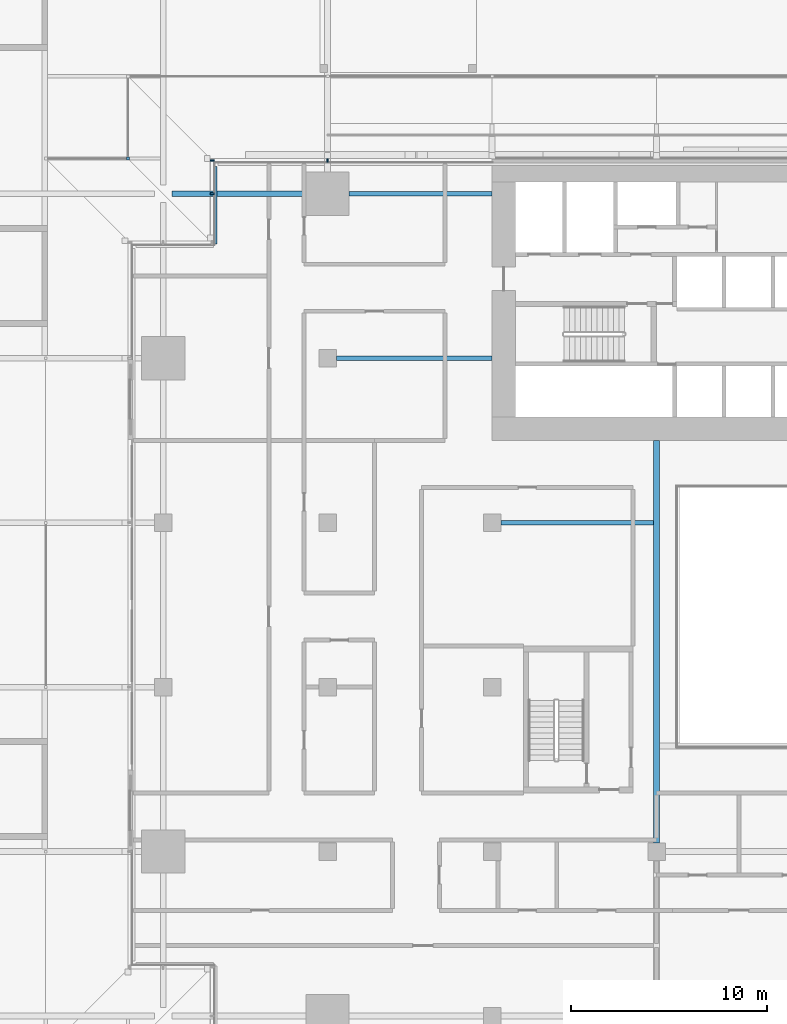
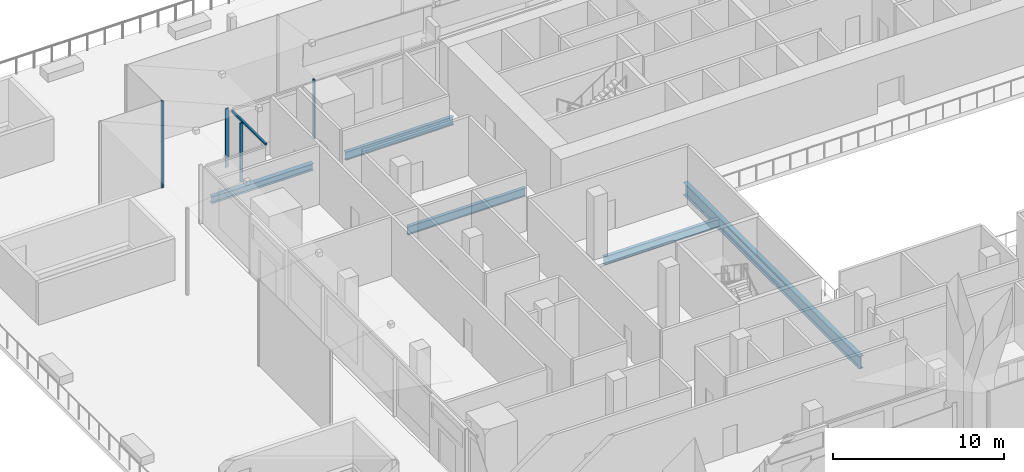
# One storey, part 8 of 60: 5 beams, 5 members, 2 elements without a shape of their own.
"""IFC4 building model written with IfcOpenShell, lengths in metres."""

from ifc_helpers import new_model, si_unit, direction, frame, origin, origin_2d, place, context, subcontext, project, spatial, rectangle, i_section, extrude, material, material_profile, profile_set, type_object, element, aggregate, save


model = new_model("IFC4")

# Units and contexts
model_context = context("Model", 3, precision=1e-05, world=origin(), true_north=direction((0.0, 1.0)))
body_context = subcontext(model_context, "Body", "Model", "MODEL_VIEW")
ifc_project = project(units=[si_unit("LENGTHUNIT", "METRE"), si_unit("AREAUNIT", "SQUARE_METRE"), si_unit("VOLUMEUNIT", "CUBIC_METRE"), si_unit("PLANEANGLEUNIT", "RADIAN"), si_unit("MASSUNIT", "GRAM", prefix="KILO")], contexts=[model_context])

# Site, building, storey
site_placement = place(None, origin())
site = spatial("IfcSite", under=ifc_project, at=site_placement, CompositionType="ELEMENT")
building_placement = place(site_placement, origin())
building = spatial("IfcBuilding", under=site, at=building_placement, Name="Saffron Gate Tower", CompositionType="ELEMENT")
storey_placement = place(building_placement, frame((0.0, 0.0, 19.199951171875)))
storey = spatial("IfcBuildingStorey", under=building, at=storey_placement, Name="L03", CompositionType="ELEMENT", Elevation=19.199951171875)

# Beams
ifc_material_1 = material(Name="Structural steel S355", Category="steel")
ifc_material_profile_1 = material_profile(ifc_material_1, i_section(OverallWidth=0.219970703125, OverallDepth=0.60009765625, WebThickness=0.011962890625, FlangeThickness=0.01904296875, FilletRadius=0.02392578125, at=origin_2d()))
ifc_profile_set_1 = profile_set([ifc_material_profile_1], Name="Structural steel S355")
beam_type_1 = type_object("IfcBeamType", Name="B15 IPE 600", PredefinedType="BEAM", material=ifc_profile_set_1)
beam_1_placement = place(storey_placement, frame((67.050048828125, 57.0, -0.599853515625), z_axis=(1.0, 0.0, 0.0), x_axis=(0.0, 1.0, 0.0)))
element("IfcBeam", 1, at=beam_1_placement, inside=storey, type_object=beam_type_1, Name="B15 CORE TIE BEAM", PredefinedType="BEAM", context=body_context, shape_type="SweptSolid", body=[
    extrude(i_section(OverallWidth=0.219970703125, OverallDepth=0.60009765625, WebThickness=0.011962890625, FlangeThickness=0.01904296875, FilletRadius=0.02392578125, at=origin_2d()), origin(), (0.0, 0.0, 1.0), 7.800048828125),
])
beam_2_placement = place(storey_placement, frame((58.64990234375, 65.39990234375, -0.599853515625), z_axis=(1.0, 0.0, 0.0), x_axis=(0.0, 1.0, 0.0)))
element("IfcBeam", 2, at=beam_2_placement, inside=storey, type_object=beam_type_1, Name="B15 CORE TIE BEAM", PredefinedType="BEAM", context=body_context, shape_type="SweptSolid", body=[
    extrude(i_section(OverallWidth=0.219970703125, OverallDepth=0.60009765625, WebThickness=0.011962890625, FlangeThickness=0.01904296875, FilletRadius=0.02392578125, at=origin_2d()), origin(), (0.0, 0.0, 1.0), 7.9501953125),
])
beam_3_placement = place(storey_placement, frame((59.300048828125, 73.800048828125, -0.599853515625), z_axis=(1.0, 0.0, 0.0), x_axis=(0.0, 1.0, 0.0)))
element("IfcBeam", 3, at=beam_3_placement, inside=storey, type_object=beam_type_1, Name="B15 CORE TIE BEAM", PredefinedType="BEAM", context=body_context, shape_type="SweptSolid", body=[
    extrude(i_section(OverallWidth=0.219970703125, OverallDepth=0.60009765625, WebThickness=0.011962890625, FlangeThickness=0.01904296875, FilletRadius=0.02392578125, at=origin_2d()), origin(), (0.0, 0.0, 1.0), 7.300048828125),
])
ifc_material_profile_2 = material_profile(ifc_material_1, i_section(OverallWidth=0.300048828125, OverallDepth=0.89990234375, WebThickness=0.0185546875, FlangeThickness=0.034912109375, FilletRadius=0.030029296875, at=origin_2d()))
ifc_profile_set_2 = profile_set([ifc_material_profile_2], Name="Structural steel S355")
beam_type_2 = type_object("IfcBeamType", Name="B20 HEB 900", PredefinedType="BEAM", material=ifc_profile_set_2)
beam_4_placement = place(storey_placement, frame((75.0, 40.64990234375, -0.75), z_axis=(0.0, 1.0, 0.0), x_axis=(-1.0, 0.0, 0.0)))
element("IfcBeam", 4, at=beam_4_placement, inside=storey, type_object=beam_type_2, Name="B20 ATRIUM GIRDER", PredefinedType="BEAM", context=body_context, shape_type="SweptSolid", body=[
    extrude(i_section(OverallWidth=0.300048828125, OverallDepth=0.89990234375, WebThickness=0.0185546875, FlangeThickness=0.034912109375, FilletRadius=0.030029296875, at=origin_2d()), origin(), (0.0, 0.0, 1.0), 20.550048828125),
])
ifc_material_profile_3 = material_profile(ifc_material_1, i_section(OverallWidth=0.300048828125, OverallDepth=0.489990234375, WebThickness=0.011962890625, FlangeThickness=0.02294921875, FilletRadius=0.027099609375, at=origin_2d()))
ifc_profile_set_3 = profile_set([ifc_material_profile_3], Name="Structural steel S355")
beam_type_3 = type_object("IfcBeamType", Name="B8 HEA 500", PredefinedType="BEAM", material=ifc_profile_set_3)
beam_5_placement = place(storey_placement, frame((50.25, 73.800048828125, -0.544921875), z_axis=(1.0, 0.0, 0.0), x_axis=(0.0, 1.0, 0.0)))
element("IfcBeam", 5, at=beam_5_placement, inside=storey, type_object=beam_type_3, Name="B8 TERRACE BEAM", PredefinedType="BEAM", context=body_context, shape_type="SweptSolid", body=[
    extrude(i_section(OverallWidth=0.300048828125, OverallDepth=0.489990234375, WebThickness=0.011962890625, FlangeThickness=0.02294921875, FilletRadius=0.027099609375, at=origin_2d()), origin(), (0.0, 0.0, 1.0), 6.85009765625),
])

# Curtain wall, member
ifc_material_2 = material(Name="Aluminium, bronze anodised", Category="aluminium")
curtain_wall_type = type_object("IfcCurtainWallType", Name="CWS6 curtain wall tall storeys", PredefinedType="NOTDEFINED", material=ifc_material_2)
curtain_wall_1_placement = place(storey_placement, origin())
curtain_wall_1 = element("IfcCurtainWall", 6, at=curtain_wall_1_placement, inside=storey, type_object=curtain_wall_type, Name="CWS6 run 8", PredefinedType="NOTDEFINED")
ifc_material_profile_4 = material_profile(ifc_material_2, rectangle(XDim=0.1201171875, YDim=0.1201171875, at=origin_2d()))
ifc_profile_set_4 = profile_set([ifc_material_profile_4], Name="Aluminium, bronze anodised")
member_type_1 = type_object("IfcMemberType", Name="CWS6 head transom", PredefinedType="USERDEFINED", material=ifc_profile_set_4)
member_1_placement = place(storey_placement, frame((52.488037109375, 75.19189453125, 4.14013671875), z_axis=(0.0, -1.0, 0.0), x_axis=(1.0, 0.0, 0.0)))
member_1 = element("IfcMember", 7, at=member_1_placement, type_object=member_type_1, Name="CWS6 head transom", ObjectType="TRANSOM", PredefinedType="USERDEFINED", context=body_context, shape_type="SweptSolid", body=[
    extrude(rectangle(XDim=0.1201171875, YDim=0.1201171875, at=origin_2d()), origin(), (0.0, 0.0, 1.0), 3.9599609375),
])

curtain_wall_2_placement = place(storey_placement, origin())
curtain_wall_2 = element("IfcCurtainWall", 8, at=curtain_wall_2_placement, inside=storey, type_object=curtain_wall_type, Name="CWS6 run 7", PredefinedType="NOTDEFINED")
ifc_material_profile_5 = material_profile(ifc_material_2, rectangle(XDim=0.199951171875, YDim=0.080078125, at=origin_2d()))
ifc_profile_set_5 = profile_set([ifc_material_profile_5], Name="Aluminium, bronze anodised")
member_type_2 = type_object("IfcMemberType", Name="CWS6 mullion 80x200", PredefinedType="MULLION", material=ifc_profile_set_5)
member_2_placement = place(storey_placement, frame((58.199951171875, 75.5, 0.0), z_axis=(0.0, 0.0, 1.0), x_axis=(0.0, -1.0, 0.0)))
member_2 = element("IfcMember", 9, at=member_2_placement, type_object=member_type_2, Name="CWS6 mullion 9", PredefinedType="MULLION", context=body_context, shape_type="SweptSolid", body=[
    extrude(rectangle(XDim=0.199951171875, YDim=0.080078125, at=origin_2d()), origin(), (0.0, 0.0, 1.0), 4.199951171875),
])
aggregate(curtain_wall_2, [member_2])

# Member
member_3_placement = place(storey_placement, frame((52.300048828125, 75.5, 0.0), z_axis=(0.0, 0.0, 1.0), x_axis=(1.0, 0.0, 0.0)))
member_3 = element("IfcMember", 10, at=member_3_placement, type_object=member_type_2, Name="CWS6 mullion 1", PredefinedType="MULLION", context=body_context, shape_type="SweptSolid", body=[
    extrude(rectangle(XDim=0.199951171875, YDim=0.080078125, at=origin_2d()), origin(), (0.0, 0.0, 1.0), 4.199951171875),
])

member_4_placement = place(storey_placement, frame((52.300048828125, 73.800048828125, 0.0), z_axis=(0.0, 0.0, 1.0), x_axis=(1.0, 0.0, 0.0)))
member_4 = element("IfcMember", 11, at=member_4_placement, type_object=member_type_2, Name="CWS6 mullion 2", PredefinedType="MULLION", context=body_context, shape_type="SweptSolid", body=[
    extrude(rectangle(XDim=0.199951171875, YDim=0.080078125, at=origin_2d()), origin(), (0.0, 0.0, 1.0), 4.199951171875),
])

aggregate(curtain_wall_1, [member_3, member_4, member_1])

ifc_material_profile_6 = material_profile(ifc_material_1, rectangle(XDim=0.139892578125, YDim=0.139892578125, at=origin_2d()))
ifc_profile_set_6 = profile_set([ifc_material_profile_6], Name="Structural steel S355")
member_type_3 = type_object("IfcMemberType", Name="HL1 hall post", PredefinedType="POST", material=ifc_profile_set_6)
member_5_placement = place(storey_placement, frame((48.0, 75.60009765625, 0.0), z_axis=(0.0, 0.0, 1.0), x_axis=(1.0, 0.0, 0.0)))
element("IfcMember", 12, at=member_5_placement, inside=storey, type_object=member_type_3, Name="HALL POST", PredefinedType="POST", context=body_context, shape_type="SweptSolid", body=[
    extrude(rectangle(XDim=0.139892578125, YDim=0.139892578125, at=origin_2d()), origin(), (0.0, 0.0, 1.0), 6.18994140625),
])

save(model, "model.ifc")
